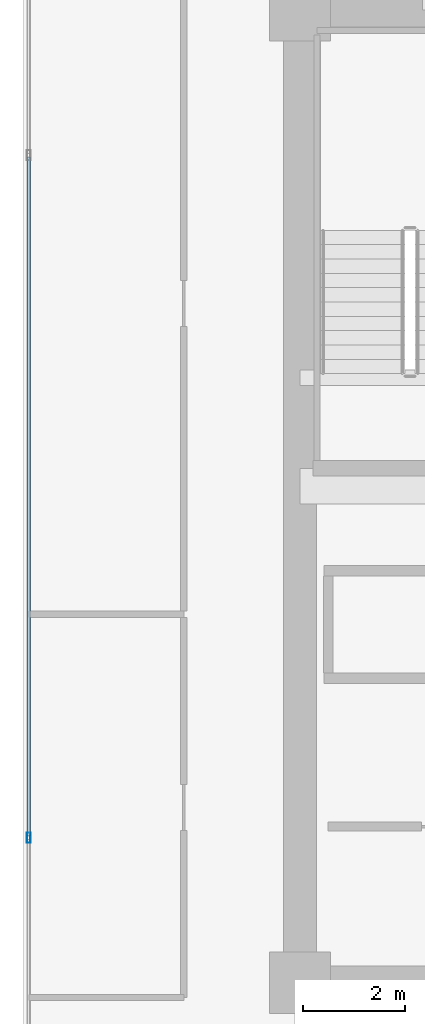
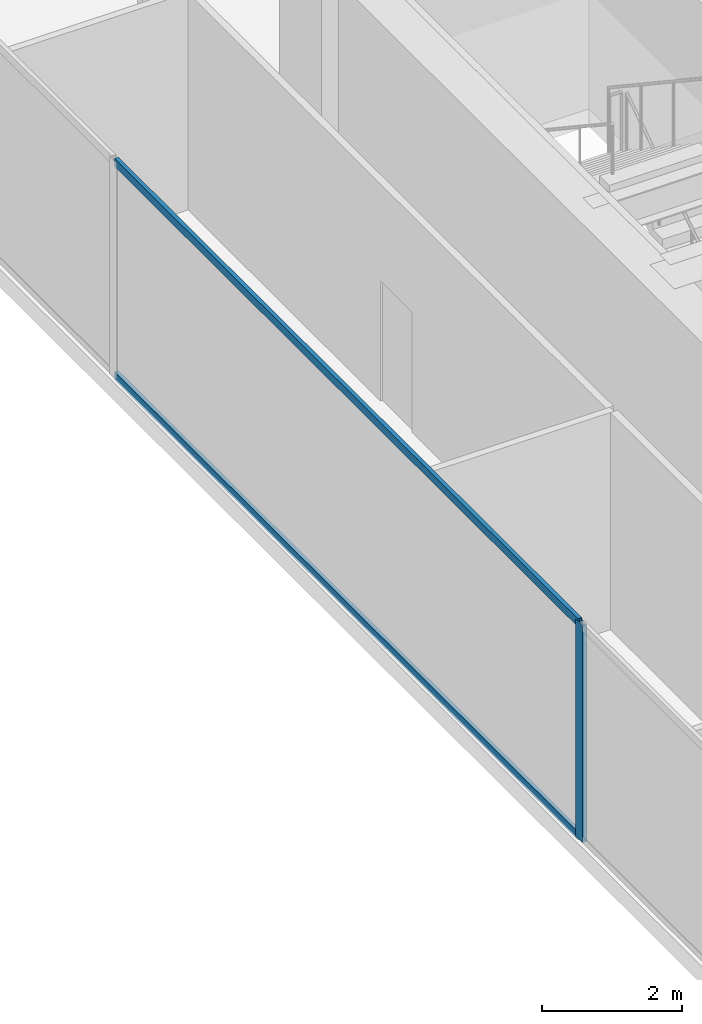
# One storey, part 6 of 30: 3 members, 1 element without a shape of its own.
"""IFC4 building model written with IfcOpenShell, lengths in metres."""

import ifcopenshell
import ifcopenshell.guid

model = None  # the IFC model being written
_history = None  # IfcOwnerHistory: only IFC2X3 demands one
_inside = {}  # id of a spatial element -> (the spatial element, [elements in it])
_under = {}  # id of a project, library or spatial element -> (it, [spatial elements below it])
_declared = {}  # id of a project -> (the project, [libraries it declares])
_typed = {}  # id of a type object -> (the type object, [elements of that type])
_made_of = {}  # id of a material, layer set ... -> (it, [elements and type objects made of it])


def new_model(schema):
    """Start an empty IFC model of exactly this schema.

    Asked for "IFC4X3", IfcOpenShell would pick the latest addendum, in which some entities
    have other attributes; the version numbers below select the first issue.
    IFC2X3 requires an IfcOwnerHistory on every rooted entity: one is made here for all.
    """
    global model, _history
    if schema == "IFC4X3":
        model = ifcopenshell.file(schema_version=(4, 3, 0, 0))
    else:
        model = ifcopenshell.file(schema=schema)
    _inside.clear()
    _under.clear()
    _declared.clear()
    _typed.clear()
    _made_of.clear()
    _history = None
    if model.schema == "IFC2X3":
        org = make("IfcOrganization", Name="unknown")
        user = make(
            "IfcPersonAndOrganization",
            ThePerson=make("IfcPerson", FamilyName="unknown"),
            TheOrganization=org,
        )
        app = make(
            "IfcApplication",
            ApplicationDeveloper=org,
            Version="unknown",
            ApplicationFullName="unknown",
            ApplicationIdentifier="unknown",
        )
        _history = make(
            "IfcOwnerHistory",
            OwningUser=user,
            OwningApplication=app,
            ChangeAction="ADDED",
            CreationDate=0,
        )
    return model


def make(cls, **values):
    """One entity of the class cls with the attributes given. An attribute that is None is left unset."""
    return model.create_entity(
        cls, **{name: value for name, value in values.items() if value is not None}
    )


def rooted(cls, **values):
    """An entity with a GlobalId (a new one), such as an element, a storey or a relation."""
    return make(cls, GlobalId=ifcopenshell.guid.new(), OwnerHistory=_history, **values)


def si_unit(unit_type, name, prefix=None):
    """IfcSIUnit, for example si_unit("LENGTHUNIT", "METRE", prefix="MILLI")."""
    return make("IfcSIUnit", UnitType=unit_type, Prefix=prefix, Name=name)


def assignment(units):
    """IfcUnitAssignment: the units of a project."""
    return None if units is None else make("IfcUnitAssignment", Units=units)


def point(xyz):
    """IfcCartesianPoint."""
    return None if xyz is None else make("IfcCartesianPoint", Coordinates=xyz)


def direction(xyz):
    """IfcDirection."""
    return None if xyz is None else make("IfcDirection", DirectionRatios=xyz)


def frame(location, z_axis=None, x_axis=None):
    """IfcAxis2Placement3D, a coordinate frame: its origin and axes. An axis left out is left unset."""
    return make(
        "IfcAxis2Placement3D",
        Location=point(location),
        Axis=direction(z_axis),
        RefDirection=direction(x_axis),
    )


def frame_2d(location, x_axis=None):
    """IfcAxis2Placement2D, a coordinate frame in the plane: its origin and x axis."""
    return make(
        "IfcAxis2Placement2D", Location=point(location), RefDirection=direction(x_axis)
    )


def origin():
    """The frame at (0, 0, 0) with its axes left unset."""
    return frame((0.0, 0.0, 0.0))


def origin_2d():
    """The frame at (0, 0) in the plane with its x axis left unset."""
    return frame_2d((0.0, 0.0))


def place(relative_to, where):
    """IfcLocalPlacement: puts the frame where relative to a parent placement (None: the world)."""
    return make(
        "IfcLocalPlacement", PlacementRelTo=relative_to, RelativePlacement=where
    )


def context(
    kind, dimensions, precision=None, world=None, true_north=None, identifier=None
):
    """IfcGeometricRepresentationContext, for example the 3D "Model" context."""
    return make(
        "IfcGeometricRepresentationContext",
        ContextIdentifier=identifier,
        ContextType=kind,
        CoordinateSpaceDimension=dimensions,
        Precision=precision,
        WorldCoordinateSystem=world,
        TrueNorth=true_north,
    )


def subcontext(parent, identifier, kind, view, scale=None):
    """IfcGeometricRepresentationSubContext, for example "Body" below "Model"."""
    return make(
        "IfcGeometricRepresentationSubContext",
        ContextIdentifier=identifier,
        ContextType=kind,
        ParentContext=parent,
        TargetScale=scale,
        TargetView=view,
    )


def project(units=None, contexts=None):
    """IfcProject with its units and contexts."""
    return rooted(
        "IfcProject",
        Name="project",
        RepresentationContexts=contexts,
        UnitsInContext=assignment(units),
    )


def spatial(cls, under=None, at=None, **own):
    """A site, building, storey or space (cls), placed at a placement, below another one or the project."""
    s = rooted(cls, ObjectPlacement=at, **own)
    if under is not None:
        _under.setdefault(under.id(), (under, []))[1].append(s)
    return s


def profile(cls, at=None, kind="AREA", **sizes):
    """A parametric profile (cls). Its sizes go by their IFC names, for example OverallWidth=200.0."""
    return make(cls, ProfileType=kind, Position=at, **sizes)


def hollow_rectangle(**sizes):
    """IfcRectangleHollowProfileDef."""
    return profile("IfcRectangleHollowProfileDef", **sizes)


def extrude(swept, where, along, depth):
    """IfcExtrudedAreaSolid: the profile swept, set in the frame where, extruded along a direction by depth."""
    return make(
        "IfcExtrudedAreaSolid",
        SweptArea=swept,
        Position=where,
        ExtrudedDirection=direction(along),
        Depth=depth,
    )


def shape(context_of_items, identifier, shape_type, items):
    """IfcShapeRepresentation: the items that make up one representation, for example the "Body"."""
    return make(
        "IfcShapeRepresentation",
        ContextOfItems=context_of_items,
        RepresentationIdentifier=identifier,
        RepresentationType=shape_type,
        Items=items,
    )


def source(mapping_origin, context_of_items, identifier, shape_type, items):
    """IfcRepresentationMap: a shape defined once, which mapped items show again and again."""
    return make(
        "IfcRepresentationMap",
        MappingOrigin=mapping_origin,
        MappedRepresentation=shape(context_of_items, identifier, shape_type, items),
    )


def transform(
    local_origin,
    x_axis=None,
    y_axis=None,
    z_axis=None,
    scale=None,
    scale2=None,
    scale3=None,
    uniform=True,
):
    """IfcCartesianTransformationOperator3D, or its non-uniform kind. x_axis, y_axis, z_axis: its Axis1, 2, 3."""
    if uniform:
        return make(
            "IfcCartesianTransformationOperator3D",
            Axis1=direction(x_axis),
            Axis2=direction(y_axis),
            LocalOrigin=point(local_origin),
            Scale=scale,
            Axis3=direction(z_axis),
        )
    return make(
        "IfcCartesianTransformationOperator3DnonUniform",
        Axis1=direction(x_axis),
        Axis2=direction(y_axis),
        LocalOrigin=point(local_origin),
        Scale=scale,
        Axis3=direction(z_axis),
        Scale2=scale2,
        Scale3=scale3,
    )


def mapped(mapping_source, mapping_target):
    """IfcMappedItem: shows the shape of a source again, moved by a transform."""
    return make(
        "IfcMappedItem", MappingSource=mapping_source, MappingTarget=mapping_target
    )


def material(Name=None, Category=None):
    """IfcMaterial."""
    return make("IfcMaterial", Name=Name, Category=Category)


def layer(
    of_material, thickness, ventilated=None, Name=None, Category=None, Priority=None
):
    """IfcMaterialLayer: one layer of a wall or slab, of a material (None: an air gap)."""
    return make(
        "IfcMaterialLayer",
        Material=of_material,
        LayerThickness=thickness,
        IsVentilated=ventilated,
        Name=Name,
        Category=Category,
        Priority=Priority,
    )


def layer_set(layers, Name=None):
    """IfcMaterialLayerSet."""
    return make("IfcMaterialLayerSet", MaterialLayers=layers, LayerSetName=Name)


def material_profile(
    of_material, cross_section, Name=None, Category=None, Priority=None
):
    """IfcMaterialProfile: a cross section and its material."""
    return make(
        "IfcMaterialProfile",
        Name=Name,
        Material=of_material,
        Profile=cross_section,
        Priority=Priority,
        Category=Category,
    )


def profile_set(profiles, Name=None, composite=None):
    """IfcMaterialProfileSet."""
    return make(
        "IfcMaterialProfileSet",
        Name=Name,
        MaterialProfiles=profiles,
        CompositeProfile=composite,
    )


def made_of(thing, what):
    """Note that an element or type object is made of a material, layer set ...; save() writes the relation."""
    if what is not None:
        _made_of.setdefault(what.id(), (what, []))[1].append(thing)
    return thing


def type_object(cls, material=None, **own):
    """A type object (cls), such as IfcWallType, which elements share."""
    return made_of(rooted(cls, **own), material)


def type_shapes(of_type, sources):
    """Give a type object the sources (RepresentationMaps) that its elements show as mapped items."""
    of_type.RepresentationMaps = sources


def element(
    cls,
    number,
    at=None,
    inside=None,
    cuts=None,
    type_object=None,
    material=None,
    context=None,
    identifier="Body",
    shape_type=None,
    held_by="IfcProductDefinitionShape",
    body=None,
    shapes=None,
    **own,
):
    """One element of the class cls, such as IfcWall. Its Tag is "e" and its number.

    at: its placement. inside: the storey or other place that contains it. cuts: it is an
    opening in that element (IfcRelVoidsElement). A single representation is given by context,
    identifier, shape_type and body (its items); several are given by shapes. held_by: the class
    of the entity that holds the representations. save() writes the other relations.
    """
    e = rooted(cls, Tag="e%d" % number, ObjectPlacement=at, **own)
    if body is not None:
        shapes = [shape(context, identifier, shape_type, body)]
    if shapes is not None:
        e.Representation = make(held_by, Representations=shapes)
    if inside is not None:
        _inside.setdefault(inside.id(), (inside, []))[1].append(e)
    if cuts is not None:
        rooted(
            "IfcRelVoidsElement", RelatingBuildingElement=cuts, RelatedOpeningElement=e
        )
    if type_object is not None:
        _typed.setdefault(type_object.id(), (type_object, []))[1].append(e)
    return made_of(e, material)


def aggregate(whole, parts):
    """IfcRelAggregates: a whole, such as a stair, and the parts it consists of."""
    return rooted("IfcRelAggregates", RelatingObject=whole, RelatedObjects=parts)


def save(model, path):
    """Write the relations noted so far, then the file.

    IfcRelAggregates (storeys below a building ...), IfcRelContainedInSpatialStructure (elements
    in a storey), IfcRelDefinesByType, IfcRelAssociatesMaterial and IfcRelDeclares: one each for
    every whole, place, type object, material and project.
    """
    for whole, parts in _under.values():
        aggregate(whole, parts)
    for where, things in _inside.values():
        rooted(
            "IfcRelContainedInSpatialStructure",
            RelatedElements=things,
            RelatingStructure=where,
        )
    for kind, things in _typed.values():
        rooted("IfcRelDefinesByType", RelatedObjects=things, RelatingType=kind)
    for what, things in _made_of.values():
        rooted("IfcRelAssociatesMaterial", RelatedObjects=things, RelatingMaterial=what)
    for by, libraries in _declared.values():
        rooted("IfcRelDeclares", RelatingContext=by, RelatedDefinitions=libraries)
    model.write(path)


model = new_model("IFC4")

# Units and contexts
model_context = context("Model", 3, precision=1e-05, world=origin(), true_north=direction((0.0, 1.0)))
body_context = subcontext(model_context, "Body", "Model", "MODEL_VIEW")
ifc_project = project(units=[si_unit("LENGTHUNIT", "METRE"), si_unit("AREAUNIT", "SQUARE_METRE"), si_unit("VOLUMEUNIT", "CUBIC_METRE"), si_unit("PLANEANGLEUNIT", "RADIAN"), si_unit("MASSUNIT", "GRAM", prefix="KILO")], contexts=[model_context])

# Site, building, storey
site_placement = place(None, origin())
site = spatial("IfcSite", under=ifc_project, at=site_placement, CompositionType="ELEMENT")
building_placement = place(site_placement, origin())
building = spatial("IfcBuilding", under=site, at=building_placement, Name="Haelvirn Gate Laboratories", CompositionType="ELEMENT")
storey_placement = place(building_placement, frame((0.0, 0.0, 129.699951171875)))
storey = spatial("IfcBuildingStorey", under=building, at=storey_placement, Name="L31", CompositionType="ELEMENT", Elevation=129.699951171875)

# Curtain wall, members
ifc_material_1 = material(Name="Anodised bronze unitised aluminium & triple low-E glass", Category="aluminium")
ifc_layer = layer(ifc_material_1, 0.179931640625, Name="CW-SYS-3")
ifc_layer_set = layer_set([ifc_layer], Name="Anodised bronze unitised aluminium & triple low-E glass")
curtain_wall_type = type_object("IfcCurtainWallType", Name="CW-SYS-3", PredefinedType="NOTDEFINED", material=ifc_layer_set)
curtain_wall_placement = place(storey_placement, origin())
curtain_wall = element("IfcCurtainWall", 1, at=curtain_wall_placement, inside=storey, type_object=curtain_wall_type, Name="L31 Unitised Curtain Wall CW-L31-P0-E17", PredefinedType="NOTDEFINED")
ifc_material_2 = material(Name="Extruded aluminium 6063-T6 (anodised bronze)", Category="aluminium")
ifc_material_profile_1 = material_profile(ifc_material_2, hollow_rectangle(XDim=0.06494140625, YDim=0.139892578125, WallThickness=0.00390625, at=origin_2d()), Name="CWT-140x65x4")
ifc_profile_set_1 = profile_set([ifc_material_profile_1], Name="Extruded aluminium 6063-T6 (anodised bronze)")
member_type_1 = type_object("IfcMemberType", Name="CWT-T140", PredefinedType="USERDEFINED", material=ifc_profile_set_1)
shared_shape_1 = source(origin(), body_context, "Body", "SweptSolid", [
    extrude(hollow_rectangle(XDim=0.06494140625, YDim=0.139892578125, WallThickness=0.00390625, at=origin_2d()), origin(), (0.0, 0.0, 1.0), 13.25830078125),
])
type_shapes(member_type_1, [shared_shape_1])
member_1_placement = place(storey_placement, frame((2.10009765625, 30.92919921875, 0.032470703125), z_axis=(0.0, -1.0, 0.0), x_axis=(1.0, 0.0, 0.0)))
member_1 = element("IfcMember", 2, at=member_1_placement, type_object=member_type_1, Name="CW3 transom 2.1", ObjectType="TRANSOM", PredefinedType="USERDEFINED", context=body_context, shape_type="MappedRepresentation", body=[
    mapped(shared_shape_1, transform((0.0, 0.0, 0.0), scale=1.0)),
])
member_2_placement = place(storey_placement, frame((2.10009765625, 30.92919921875, 3.757568359375), z_axis=(0.0, -1.0, 0.0), x_axis=(1.0, 0.0, 0.0)))
member_2 = element("IfcMember", 3, at=member_2_placement, type_object=member_type_1, Name="CW3 transom 2.2", ObjectType="TRANSOM", PredefinedType="USERDEFINED", context=body_context, shape_type="MappedRepresentation", body=[
    mapped(shared_shape_1, transform((0.0, 0.0, 0.0), scale=1.0)),
])
ifc_material_profile_2 = material_profile(ifc_material_2, hollow_rectangle(XDim=0.074951171875, YDim=0.199951171875, WallThickness=0.0048828125, at=origin_2d()), Name="CWM-200x75x5")
ifc_profile_set_2 = profile_set([ifc_material_profile_2], Name="Extruded aluminium 6063-T6 (anodised bronze)")
member_type_2 = type_object("IfcMemberType", Name="CWM-T200", PredefinedType="MULLION", material=ifc_profile_set_2)
shared_shape_2 = source(origin(), body_context, "Body", "SweptSolid", [
    extrude(hollow_rectangle(XDim=0.074951171875, YDim=0.199951171875, WallThickness=0.0048828125, at=origin_2d()), origin(), (0.0, 0.0, 1.0), 3.7900390625),
])
type_shapes(member_type_2, [shared_shape_2])
member_3_placement = place(storey_placement, frame((2.10009765625, 17.63330078125, 0.0), z_axis=(0.0, 0.0, 1.0), x_axis=(1.0, 0.0, 0.0)))
member_3 = element("IfcMember", 4, at=member_3_placement, type_object=member_type_2, Name="CW3 mullion 3", PredefinedType="MULLION", context=body_context, shape_type="MappedRepresentation", body=[
    mapped(shared_shape_2, transform((0.0, 0.0, 0.0), scale=1.0)),
])
aggregate(curtain_wall, [member_3, member_1, member_2])

save(model, "model.ifc")
